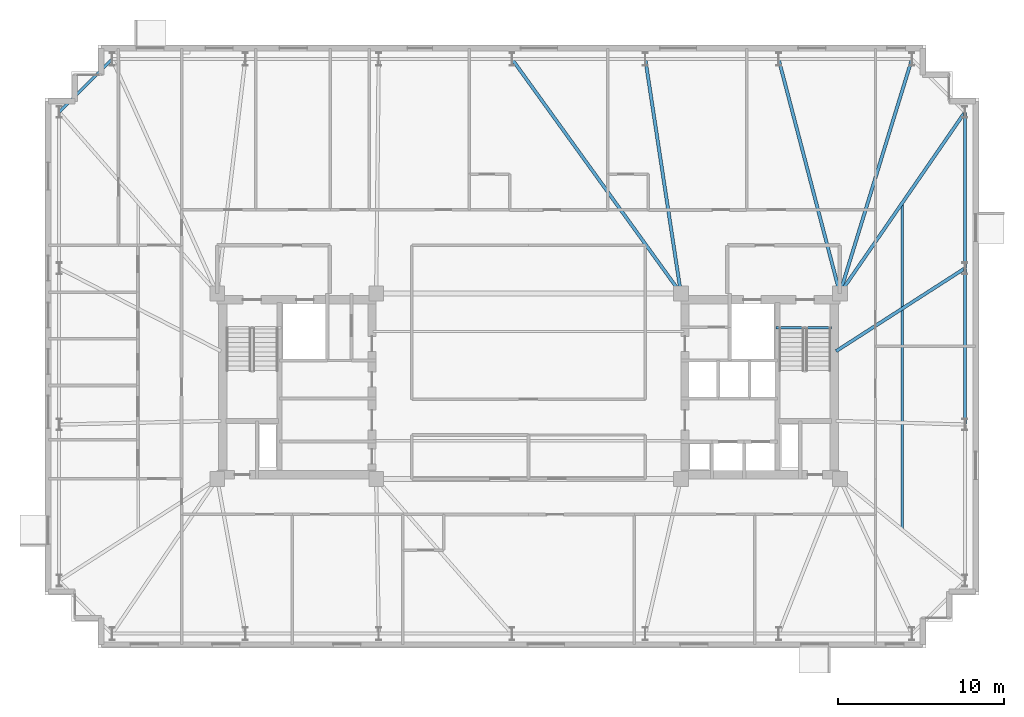
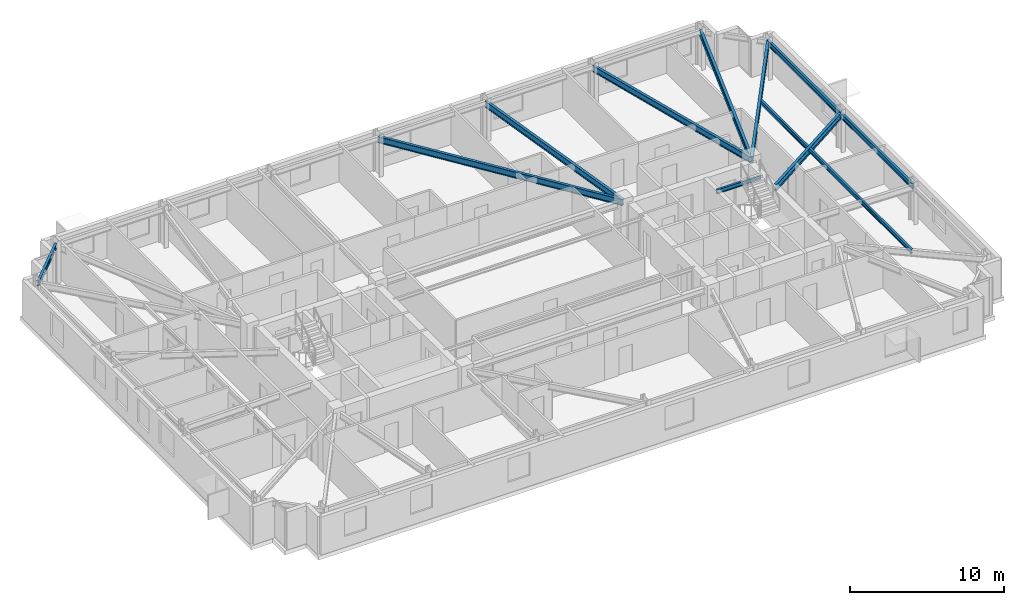
# One storey, part 6 of 17: 11 beams.
"""IFC4 building model written with IfcOpenShell, lengths in metres."""

from ifc_helpers import new_model, si_unit, direction, frame, origin, origin_2d, place, context, subcontext, project, spatial, i_section, extrude, material, material_profile, profile_set, type_object, element, save


model = new_model("IFC4")

# Units and contexts
model_context = context("Model", 3, precision=1e-05, world=origin(), true_north=direction((0.0, 1.0)))
body_context = subcontext(model_context, "Body", "Model", "MODEL_VIEW")
ifc_project = project(units=[si_unit("LENGTHUNIT", "METRE"), si_unit("AREAUNIT", "SQUARE_METRE"), si_unit("VOLUMEUNIT", "CUBIC_METRE"), si_unit("PLANEANGLEUNIT", "RADIAN"), si_unit("MASSUNIT", "GRAM", prefix="KILO")], contexts=[model_context])

# Site, building, storey
site_placement = place(None, origin())
site = spatial("IfcSite", under=ifc_project, at=site_placement, CompositionType="ELEMENT")
building_placement = place(site_placement, origin())
building = spatial("IfcBuilding", under=site, at=building_placement, Name="Qobustan Lattice House", CompositionType="ELEMENT")
storey_placement = place(building_placement, frame((0.0, 0.0, 171.199951171875)))
storey = spatial("IfcBuildingStorey", under=building, at=storey_placement, Name="L48", CompositionType="ELEMENT", Elevation=171.199951171875)

# Beams
ifc_material_1 = material(Name="Steel S355", Category="steel")
ifc_material_profile_1 = material_profile(ifc_material_1, i_section(OverallWidth=0.199951171875, OverallDepth=0.5, WebThickness=0.01025390625, FlangeThickness=0.01611328125, FilletRadius=0.02099609375, at=origin_2d()), Name="IPE500")
ifc_profile_set_1 = profile_set([ifc_material_profile_1], Name="Steel S355")
beam_type_1 = type_object("IfcBeamType", Name="BM-FLG-IPE500", PredefinedType="USERDEFINED", material=ifc_profile_set_1)
beam_1_placement = place(storey_placement, frame((-0.9853515625, 19.729736328125, 2.75), z_axis=(0.584755393146, -0.811209670916, 0.0), x_axis=(0.811209670916, 0.584755393146, 0.0)))
element("IfcBeam", 1, at=beam_1_placement, inside=storey, type_object=beam_type_1, Name="L48 primary floor girder RAD-N4", ObjectType="GIRDER", PredefinedType="USERDEFINED", context=body_context, shape_type="SweptSolid", body=[
    extrude(i_section(OverallWidth=0.199951171875, OverallDepth=0.5, WebThickness=0.01025390625, FlangeThickness=0.01611328125, FilletRadius=0.02099609375, at=origin_2d()), origin(), (0.0, 0.0, 1.0), 17.39306640625),
])
beam_2_placement = place(storey_placement, frame((7.0537109375, 19.725341796875, 2.75), z_axis=(0.150225226731, -0.988651799803, 0.0), x_axis=(0.988651799803, 0.150225226731, 0.0)))
element("IfcBeam", 2, at=beam_2_placement, inside=storey, type_object=beam_type_1, Name="L48 primary floor girder RAD-N3", ObjectType="GIRDER", PredefinedType="USERDEFINED", context=body_context, shape_type="SweptSolid", body=[
    extrude(i_section(OverallWidth=0.199951171875, OverallDepth=0.5, WebThickness=0.01025390625, FlangeThickness=0.01611328125, FilletRadius=0.02099609375, at=origin_2d()), origin(), (0.0, 0.0, 1.0), 14.262451171875),
])
beam_3_placement = place(storey_placement, frame((15.106201171875, 19.725830078125, 2.75), z_axis=(0.252989153576, -0.967469114842, 0.0), x_axis=(0.967469114842, 0.252989153576, 0.0)))
element("IfcBeam", 3, at=beam_3_placement, inside=storey, type_object=beam_type_1, Name="L48 primary floor girder RAD-N2", ObjectType="GIRDER", PredefinedType="USERDEFINED", context=body_context, shape_type="SweptSolid", body=[
    extrude(i_section(OverallWidth=0.199951171875, OverallDepth=0.5, WebThickness=0.01025390625, FlangeThickness=0.01611328125, FilletRadius=0.02099609375, at=origin_2d()), origin(), (0.0, 0.0, 1.0), 14.57568359375),
])
beam_4_placement = place(storey_placement, frame((23.142578125, 19.72607421875, 2.75), z_axis=(-0.293840483469, -0.955854471285, 0.0), x_axis=(0.955854471285, -0.293840483469, 0.0)))
element("IfcBeam", 4, at=beam_4_placement, inside=storey, type_object=beam_type_1, Name="L48 primary floor girder RAD-N1E", ObjectType="GIRDER", PredefinedType="USERDEFINED", context=body_context, shape_type="SweptSolid", body=[
    extrude(i_section(OverallWidth=0.199951171875, OverallDepth=0.5, WebThickness=0.01025390625, FlangeThickness=0.01611328125, FilletRadius=0.02099609375, at=origin_2d()), origin(), (0.0, 0.0, 1.0), 14.753662109375),
])
beam_5_placement = place(storey_placement, frame((26.335693359375, 16.529296875, 2.75), z_axis=(-0.567643395011, -0.82327454479, 0.0), x_axis=(0.82327454479, -0.567643395011, 0.0)))
element("IfcBeam", 5, at=beam_5_placement, inside=storey, type_object=beam_type_1, Name="L48 primary floor girder RAD-E4", ObjectType="GIRDER", PredefinedType="USERDEFINED", context=body_context, shape_type="SweptSolid", body=[
    extrude(i_section(OverallWidth=0.199951171875, OverallDepth=0.5, WebThickness=0.01025390625, FlangeThickness=0.01611328125, FilletRadius=0.02099609375, at=origin_2d()), origin(), (0.0, 0.0, 1.0), 13.25048828125),
])
beam_6_placement = place(storey_placement, frame((26.3291015625, 7.103271484375, 2.75), z_axis=(-0.841058920931, -0.540943519715, 0.0), x_axis=(0.540943519715, -0.841058920931, 0.0)))
element("IfcBeam", 6, at=beam_6_placement, inside=storey, type_object=beam_type_1, Name="L48 primary floor girder RAD-E3", ObjectType="GIRDER", PredefinedType="USERDEFINED", context=body_context, shape_type="SweptSolid", body=[
    extrude(i_section(OverallWidth=0.199951171875, OverallDepth=0.5, WebThickness=0.01025390625, FlangeThickness=0.01611328125, FilletRadius=0.02099609375, at=origin_2d()), origin(), (0.0, 0.0, 1.0), 9.22412109375),
])
ifc_material_2 = material(Name="Steel S355", Category="steel")
ifc_material_profile_2 = material_profile(ifc_material_2, i_section(OverallWidth=0.159912109375, OverallDepth=0.330078125, WebThickness=0.007568359375, FlangeThickness=0.011474609375, FilletRadius=0.01806640625, at=origin_2d()), Name="IPE330")
ifc_profile_set_2 = profile_set([ifc_material_profile_2], Name="Steel S355")
beam_type_2 = type_object("IfcBeamType", Name="BM-SEC-IPE330", PredefinedType="BEAM", material=ifc_profile_set_2)
beam_7_placement = place(storey_placement, frame((22.574951171875, 11.074951171875, 2.8349609375), z_axis=(0.0, -1.0, 0.0), x_axis=(1.0, 0.0, 0.0)))
element("IfcBeam", 7, at=beam_7_placement, inside=storey, type_object=beam_type_2, Name="L48 east wing secondary beam", PredefinedType="BEAM", context=body_context, shape_type="SweptSolid", body=[
    extrude(i_section(OverallWidth=0.159912109375, OverallDepth=0.330078125, WebThickness=0.007568359375, FlangeThickness=0.011474609375, FilletRadius=0.01806640625, at=origin_2d()), origin(), (0.0, 0.0, 1.0), 19.75),
])
ifc_material_3 = material(Name="Steel S355", Category="steel")
ifc_material_profile_3 = material_profile(ifc_material_3, i_section(OverallWidth=0.159912109375, OverallDepth=0.330078125, WebThickness=0.007568359375, FlangeThickness=0.011474609375, FilletRadius=0.01806640625, at=origin_2d()), Name="IPE330")
ifc_profile_set_3 = profile_set([ifc_material_profile_3], Name="Steel S355")
beam_type_3 = type_object("IfcBeamType", Name="BM-SPD-IPE330", PredefinedType="SPANDREL", material=ifc_profile_set_3)
beam_8_placement = place(storey_placement, frame((14.949951171875, 3.52001953125, 2.8349609375), z_axis=(1.0, 0.0, 0.0), x_axis=(0.0, 1.0, 0.0)))
element("IfcBeam", 8, at=beam_8_placement, inside=storey, type_object=beam_type_3, Name="L48 east stair landing trimmer beam", PredefinedType="SPANDREL", context=body_context, shape_type="SweptSolid", body=[
    extrude(i_section(OverallWidth=0.159912109375, OverallDepth=0.330078125, WebThickness=0.007568359375, FlangeThickness=0.011474609375, FilletRadius=0.01806640625, at=origin_2d()), origin(), (0.0, 0.0, 1.0), 3.35009765625),
])
ifc_material_4 = material(Name="Steel S355", Category="steel")
ifc_material_profile_4 = material_profile(ifc_material_4, i_section(OverallWidth=0.179931640625, OverallDepth=0.39990234375, WebThickness=0.008544921875, FlangeThickness=0.013427734375, FilletRadius=0.02099609375, at=origin_2d()), Name="IPE400")
ifc_profile_set_4 = profile_set([ifc_material_profile_4], Name="Steel S355")
beam_type_4 = type_object("IfcBeamType", Name="BM-SPD-IPE400", PredefinedType="SPANDREL", material=ifc_profile_set_4)
beam_9_placement = place(storey_placement, frame((26.35009765625, -2.291748046875, 2.800048828125), z_axis=(0.0, 1.0, 0.0), x_axis=(-1.0, 0.0, 0.0)))
element("IfcBeam", 9, at=beam_9_placement, inside=storey, type_object=beam_type_4, Name="L48 perimeter spandrel E2-E3", PredefinedType="SPANDREL", context=body_context, shape_type="SweptSolid", body=[
    extrude(i_section(OverallWidth=0.179931640625, OverallDepth=0.39990234375, WebThickness=0.008544921875, FlangeThickness=0.013427734375, FilletRadius=0.02099609375, at=origin_2d()), origin(), (0.0, 0.0, 1.0), 9.383544921875),
])
beam_10_placement = place(storey_placement, frame((26.35009765625, 7.1416015625, 2.800048828125), z_axis=(0.0, 1.0, 0.0), x_axis=(-1.0, 0.0, 0.0)))
element("IfcBeam", 10, at=beam_10_placement, inside=storey, type_object=beam_type_4, Name="L48 perimeter spandrel E3-E4", PredefinedType="SPANDREL", context=body_context, shape_type="SweptSolid", body=[
    extrude(i_section(OverallWidth=0.179931640625, OverallDepth=0.39990234375, WebThickness=0.008544921875, FlangeThickness=0.013427734375, FilletRadius=0.02099609375, at=origin_2d()), origin(), (0.0, 0.0, 1.0), 9.38330078125),
])
beam_11_placement = place(storey_placement, frame((-25.167724609375, 19.732421875, 2.800048828125), z_axis=(-0.707079505568, -0.707134055753, 0.0), x_axis=(0.707134055753, -0.707079505568, 0.0)))
element("IfcBeam", 11, at=beam_11_placement, inside=storey, type_object=beam_type_4, Name="L48 perimeter spandrel N7-W1", PredefinedType="SPANDREL", context=body_context, shape_type="SweptSolid", body=[
    extrude(i_section(OverallWidth=0.179931640625, OverallDepth=0.39990234375, WebThickness=0.008544921875, FlangeThickness=0.013427734375, FilletRadius=0.02099609375, at=origin_2d()), origin(), (0.0, 0.0, 1.0), 4.4755859375),
])

save(model, "model.ifc")
